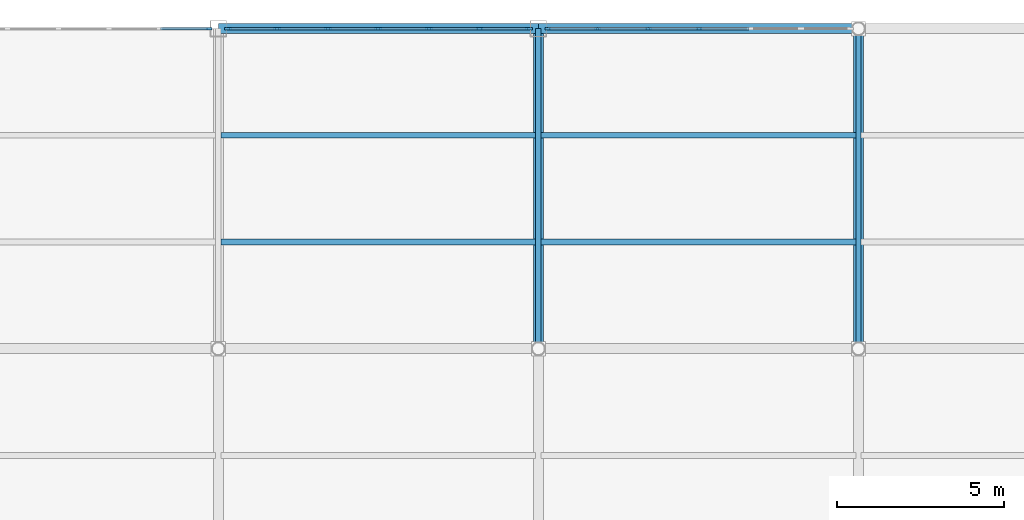
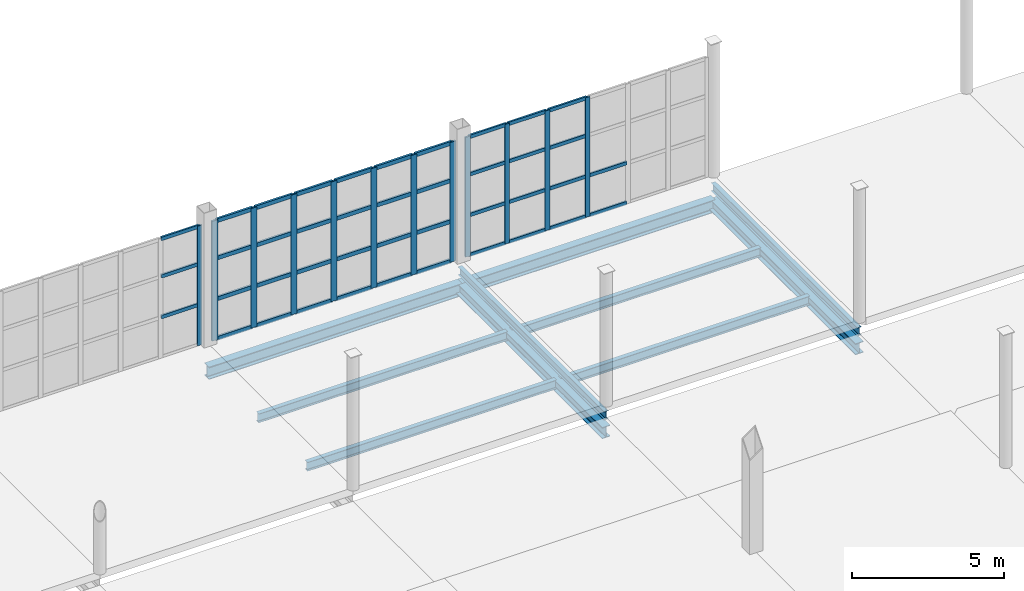
# One storey, part 45 of 85: 53 members, 10 beams, 3 elements without a shape of their own.
"""IFC4 building model written with IfcOpenShell, lengths in metres."""

from ifc_helpers import new_model, si_unit, direction, frame, origin, origin_2d, place, context, subcontext, project, spatial, rectangle, i_section, extrude, material, layer, layer_set, material_profile, profile_set, type_object, element, aggregate, save


model = new_model("IFC4")

# Units and contexts
model_context = context("Model", 3, precision=1e-05, world=origin(), true_north=direction((0.0, 1.0)))
body_context = subcontext(model_context, "Body", "Model", "MODEL_VIEW")
ifc_project = project(units=[si_unit("LENGTHUNIT", "METRE"), si_unit("AREAUNIT", "SQUARE_METRE"), si_unit("VOLUMEUNIT", "CUBIC_METRE"), si_unit("PLANEANGLEUNIT", "RADIAN"), si_unit("MASSUNIT", "GRAM", prefix="KILO")], contexts=[model_context])

# Site, building, storey
site_placement = place(None, origin())
site = spatial("IfcSite", under=ifc_project, at=site_placement, CompositionType="ELEMENT")
building_placement = place(site_placement, origin())
building = spatial("IfcBuilding", under=site, at=building_placement, Name="Zarnetskaya Central Station", CompositionType="ELEMENT")
storey_placement = place(building_placement, origin())
storey = spatial("IfcBuildingStorey", under=building, at=storey_placement, Name="L00", CompositionType="ELEMENT", Elevation=0.0)

# Beams
ifc_material_1 = material(Name="Steel S355", Category="steel")
ifc_material_profile_1 = material_profile(ifc_material_1, i_section(OverallWidth=0.159912109375, OverallDepth=0.330078125, WebThickness=0.007568359375, FlangeThickness=0.011474609375, FilletRadius=0.01806640625, at=origin_2d()), Name="IPE 330")
ifc_profile_set_1 = profile_set([ifc_material_profile_1], Name="Steel S355")
beam_type_1 = type_object("IfcBeamType", Name="BM-SEC-330", PredefinedType="BEAM", material=ifc_profile_set_1)
for number, where, z_axis, x_axis, name in (
    (1, (124.800048828125, 115.199951171875, -0.465087890625), (0.0, 1.0, 0.0), (-1.0, 0.0, 0.0), "Platform transverse bearer GY-PLT-P4-P"),
    (2, (134.39990234375, 115.199951171875, -0.465087890625), (0.0, 1.0, 0.0), (-1.0, 0.0, 0.0), "Platform transverse bearer GY-PLT-P4-Q"),
):
    element("IfcBeam", number, at=place(storey_placement, frame(where, z_axis=z_axis, x_axis=x_axis)), inside=storey, type_object=beam_type_1, Name=name, PredefinedType="BEAM", context=body_context, shape_type="SweptSolid", body=[
        extrude(i_section(OverallWidth=0.159912109375, OverallDepth=0.330078125, WebThickness=0.007568359375, FlangeThickness=0.011474609375, FilletRadius=0.01806640625, at=origin_2d()), origin(), (0.0, 0.0, 1.0), 9.60009765625),
    ])
ifc_material_profile_2 = material_profile(ifc_material_1, i_section(OverallWidth=0.169921875, OverallDepth=0.360107421875, WebThickness=0.008056640625, FlangeThickness=0.0126953125, FilletRadius=0.01806640625, at=origin_2d()), Name="IPE 360")
ifc_profile_set_2 = profile_set([ifc_material_profile_2], Name="Steel S355")
beam_type_2 = type_object("IfcBeamType", Name="BM-SEC-360", PredefinedType="BEAM", material=ifc_profile_set_2)
for number, where, z_axis, x_axis, name in (
    (3, (115.280029296875, 118.39990234375, -1.090087890625), (1.0, 0.0, 0.0), (0.0, 1.0, 0.0), "Secondary floor beam SEC-L00-Z91-NP-1415-1"),
    (4, (115.280029296875, 121.60009765625, -1.090087890625), (1.0, 0.0, 0.0), (0.0, 1.0, 0.0), "Secondary floor beam SEC-L00-Z91-NP-1415-2"),
):
    element("IfcBeam", number, at=place(storey_placement, frame(where, z_axis=z_axis, x_axis=x_axis)), inside=storey, type_object=beam_type_2, Name=name, PredefinedType="BEAM", context=body_context, shape_type="SweptSolid", body=[
        extrude(i_section(OverallWidth=0.169921875, OverallDepth=0.360107421875, WebThickness=0.008056640625, FlangeThickness=0.0126953125, FilletRadius=0.01806640625, at=origin_2d()), origin(), (0.0, 0.0, 1.0), 9.43994140625),
    ])
for number, where, z_axis, x_axis, name in (
    (5, (124.8798828125, 118.39990234375, -1.090087890625), (1.0, 0.0, 0.0), (0.0, 1.0, 0.0), "Secondary floor beam SEC-L00-Z91-PQ-1415-1"),
    (6, (124.8798828125, 121.60009765625, -1.090087890625), (1.0, 0.0, 0.0), (0.0, 1.0, 0.0), "Secondary floor beam SEC-L00-Z91-PQ-1415-2"),
):
    element("IfcBeam", number, at=place(storey_placement, frame(where, z_axis=z_axis, x_axis=x_axis)), inside=storey, type_object=beam_type_2, Name=name, PredefinedType="BEAM", context=body_context, shape_type="SweptSolid", body=[
        extrude(i_section(OverallWidth=0.169921875, OverallDepth=0.360107421875, WebThickness=0.008056640625, FlangeThickness=0.0126953125, FilletRadius=0.01806640625, at=origin_2d()), origin(), (0.0, 0.0, 1.0), 9.440185546875),
    ])

# Curtain wall, member
ifc_material_2 = material(Name="Low-E insulated glass", Category="glass")
ifc_layer = layer(ifc_material_2, 0.16796875, Name="Low-E insulated glass", Category="glass")
ifc_layer_set = layer_set([ifc_layer], Name="Low-E insulated glass")
curtain_wall_type = type_object("IfcCurtainWallType", Name="CW-SYS-13", PredefinedType="USERDEFINED", material=ifc_layer_set)
curtain_wall_1_placement = place(storey_placement, origin())
curtain_wall_1 = element("IfcCurtainWall", 7, at=curtain_wall_1_placement, inside=storey, type_object=curtain_wall_type, Name="Curtain wall CW-L00-183", ObjectType="CURTAIN WALL", PredefinedType="USERDEFINED")
ifc_material_3 = material(Name="Anodised aluminium", Category="aluminium")
ifc_material_profile_3 = material_profile(ifc_material_3, rectangle(XDim=0.070068359375, YDim=0.179931640625, at=origin_2d()), Name="ALU MULL 70x180")
ifc_profile_set_3 = profile_set([ifc_material_profile_3], Name="Anodised aluminium")
member_type_1 = type_object("IfcMemberType", Name="CW-MULL-180", PredefinedType="MULLION", material=ifc_profile_set_3)
member_1_placement = place(storey_placement, frame((114.9150390625, 124.800048828125, 0.0), z_axis=(0.0, 0.0, 1.0), x_axis=(0.0, 1.0, 0.0)))
member_1 = element("IfcMember", 8, at=member_1_placement, type_object=member_type_1, Name="CW-04 mullion 7", PredefinedType="MULLION", context=body_context, shape_type="SweptSolid", body=[
    extrude(rectangle(XDim=0.070068359375, YDim=0.179931640625, at=origin_2d()), origin(), (0.0, 0.0, 1.0), 4.800048828125),
])

# Curtain wall, members
curtain_wall_2_placement = place(storey_placement, origin())
curtain_wall_2 = element("IfcCurtainWall", 9, at=curtain_wall_2_placement, inside=storey, type_object=curtain_wall_type, Name="Curtain wall CW-L00-185", ObjectType="CURTAIN WALL", PredefinedType="USERDEFINED")
member_2_placement = place(storey_placement, frame((125.0849609375, 124.800048828125, 0.0), z_axis=(0.0, 0.0, 1.0), x_axis=(0.0, 1.0, 0.0)))
member_2 = element("IfcMember", 10, at=member_2_placement, type_object=member_type_1, Name="CW-04 mullion 1", PredefinedType="MULLION", context=body_context, shape_type="SweptSolid", body=[
    extrude(rectangle(XDim=0.070068359375, YDim=0.179931640625, at=origin_2d()), origin(), (0.0, 0.0, 1.0), 4.800048828125),
])
member_3_placement = place(storey_placement, frame((126.574462890625, 124.800048828125, 0.0), z_axis=(0.0, 0.0, 1.0), x_axis=(0.0, 1.0, 0.0)))
member_3 = element("IfcMember", 11, at=member_3_placement, type_object=member_type_1, Name="CW-04 mullion 2", PredefinedType="MULLION", context=body_context, shape_type="SweptSolid", body=[
    extrude(rectangle(XDim=0.070068359375, YDim=0.179931640625, at=origin_2d()), origin(), (0.0, 0.0, 1.0), 4.800048828125),
])
member_4_placement = place(storey_placement, frame((128.098876953125, 124.800048828125, 0.0), z_axis=(0.0, 0.0, 1.0), x_axis=(0.0, 1.0, 0.0)))
member_4 = element("IfcMember", 12, at=member_4_placement, type_object=member_type_1, Name="CW-04 mullion 3", PredefinedType="MULLION", context=body_context, shape_type="SweptSolid", body=[
    extrude(rectangle(XDim=0.070068359375, YDim=0.179931640625, at=origin_2d()), origin(), (0.0, 0.0, 1.0), 4.800048828125),
])
member_5_placement = place(storey_placement, frame((129.623291015625, 124.800048828125, 0.0), z_axis=(0.0, 0.0, 1.0), x_axis=(0.0, 1.0, 0.0)))
member_5 = element("IfcMember", 13, at=member_5_placement, type_object=member_type_1, Name="CW-04 mullion 4", PredefinedType="MULLION", context=body_context, shape_type="SweptSolid", body=[
    extrude(rectangle(XDim=0.070068359375, YDim=0.179931640625, at=origin_2d()), origin(), (0.0, 0.0, 1.0), 4.800048828125),
])

curtain_wall_3_placement = place(storey_placement, origin())
curtain_wall_3 = element("IfcCurtainWall", 14, at=curtain_wall_3_placement, inside=storey, type_object=curtain_wall_type, Name="Curtain wall CW-L00-184", ObjectType="CURTAIN WALL", PredefinedType="USERDEFINED")
ifc_material_profile_4 = material_profile(ifc_material_3, rectangle(XDim=0.080078125, YDim=0.219970703125, at=origin_2d()), Name="ALU MULL 80x220")
ifc_profile_set_4 = profile_set([ifc_material_profile_4], Name="Anodised aluminium")
member_type_2 = type_object("IfcMemberType", Name="CW-MULL-220", PredefinedType="MULLION", material=ifc_profile_set_4)
member_6_placement = place(storey_placement, frame((115.489990234375, 124.800048828125, 0.0), z_axis=(0.0, 0.0, 1.0), x_axis=(0.0, 1.0, 0.0)))
member_6 = element("IfcMember", 15, at=member_6_placement, type_object=member_type_2, Name="CW-04 mullion 1", PredefinedType="MULLION", context=body_context, shape_type="SweptSolid", body=[
    extrude(rectangle(XDim=0.080078125, YDim=0.219970703125, at=origin_2d()), origin(), (0.0, 0.0, 1.0), 4.800048828125),
])
member_7_placement = place(storey_placement, frame((116.966552734375, 124.800048828125, 0.0), z_axis=(0.0, 0.0, 1.0), x_axis=(0.0, 1.0, 0.0)))
member_7 = element("IfcMember", 16, at=member_7_placement, type_object=member_type_2, Name="CW-04 mullion 2", PredefinedType="MULLION", context=body_context, shape_type="SweptSolid", body=[
    extrude(rectangle(XDim=0.080078125, YDim=0.219970703125, at=origin_2d()), origin(), (0.0, 0.0, 1.0), 4.800048828125),
])
member_8_placement = place(storey_placement, frame((118.4833984375, 124.800048828125, 0.0), z_axis=(0.0, 0.0, 1.0), x_axis=(0.0, 1.0, 0.0)))
member_8 = element("IfcMember", 17, at=member_8_placement, type_object=member_type_2, Name="CW-04 mullion 3", PredefinedType="MULLION", context=body_context, shape_type="SweptSolid", body=[
    extrude(rectangle(XDim=0.080078125, YDim=0.219970703125, at=origin_2d()), origin(), (0.0, 0.0, 1.0), 4.800048828125),
])
member_9_placement = place(storey_placement, frame((120.0, 124.800048828125, 0.0), z_axis=(0.0, 0.0, 1.0), x_axis=(0.0, 1.0, 0.0)))
member_9 = element("IfcMember", 18, at=member_9_placement, type_object=member_type_2, Name="CW-04 mullion 4", PredefinedType="MULLION", context=body_context, shape_type="SweptSolid", body=[
    extrude(rectangle(XDim=0.080078125, YDim=0.219970703125, at=origin_2d()), origin(), (0.0, 0.0, 1.0), 4.800048828125),
])
member_10_placement = place(storey_placement, frame((121.5166015625, 124.800048828125, 0.0), z_axis=(0.0, 0.0, 1.0), x_axis=(0.0, 1.0, 0.0)))
member_10 = element("IfcMember", 19, at=member_10_placement, type_object=member_type_2, Name="CW-04 mullion 5", PredefinedType="MULLION", context=body_context, shape_type="SweptSolid", body=[
    extrude(rectangle(XDim=0.080078125, YDim=0.219970703125, at=origin_2d()), origin(), (0.0, 0.0, 1.0), 4.800048828125),
])
member_11_placement = place(storey_placement, frame((123.033447265625, 124.800048828125, 0.0), z_axis=(0.0, 0.0, 1.0), x_axis=(0.0, 1.0, 0.0)))
member_11 = element("IfcMember", 20, at=member_11_placement, type_object=member_type_2, Name="CW-04 mullion 6", PredefinedType="MULLION", context=body_context, shape_type="SweptSolid", body=[
    extrude(rectangle(XDim=0.080078125, YDim=0.219970703125, at=origin_2d()), origin(), (0.0, 0.0, 1.0), 4.800048828125),
])
member_12_placement = place(storey_placement, frame((124.510009765625, 124.800048828125, 0.0), z_axis=(0.0, 0.0, 1.0), x_axis=(0.0, 1.0, 0.0)))
member_12 = element("IfcMember", 21, at=member_12_placement, type_object=member_type_2, Name="CW-04 mullion 7", PredefinedType="MULLION", context=body_context, shape_type="SweptSolid", body=[
    extrude(rectangle(XDim=0.080078125, YDim=0.219970703125, at=origin_2d()), origin(), (0.0, 0.0, 1.0), 4.800048828125),
])

# Member
ifc_material_profile_5 = material_profile(ifc_material_3, rectangle(XDim=0.070068359375, YDim=0.139892578125, at=origin_2d()), Name="ALU TRAN 70x140")
ifc_profile_set_5 = profile_set([ifc_material_profile_5], Name="Anodised aluminium")
member_type_3 = type_object("IfcMemberType", Name="CW-TRAN-140", PredefinedType="USERDEFINED", material=ifc_profile_set_5)
member_13_placement = place(storey_placement, frame((113.46826171875, 124.800048828125, 1.632080078125), z_axis=(1.0, 0.0, 0.0), x_axis=(0.0, 1.0, 0.0)))
member_13 = element("IfcMember", 22, at=member_13_placement, type_object=member_type_3, Name="CW-04 transom 6.2", ObjectType="TRANSOM", PredefinedType="USERDEFINED", context=body_context, shape_type="SweptSolid", body=[
    extrude(rectangle(XDim=0.070068359375, YDim=0.139892578125, at=origin_2d()), origin(), (0.0, 0.0, 1.0), 1.41162109375),
])

member_14_placement = place(storey_placement, frame((113.46826171875, 124.800048828125, 3.263916015625), z_axis=(1.0, 0.0, 0.0), x_axis=(0.0, 1.0, 0.0)))
member_14 = element("IfcMember", 23, at=member_14_placement, type_object=member_type_3, Name="CW-04 transom 6.3", ObjectType="TRANSOM", PredefinedType="USERDEFINED", context=body_context, shape_type="SweptSolid", body=[
    extrude(rectangle(XDim=0.070068359375, YDim=0.139892578125, at=origin_2d()), origin(), (0.0, 0.0, 1.0), 1.41162109375),
])

member_15_placement = place(storey_placement, frame((113.46826171875, 124.800048828125, 4.764892578125), z_axis=(1.0, 0.0, 0.0), x_axis=(0.0, 1.0, 0.0)))
member_15 = element("IfcMember", 24, at=member_15_placement, type_object=member_type_3, Name="CW-04 transom 6.4", ObjectType="TRANSOM", PredefinedType="USERDEFINED", context=body_context, shape_type="SweptSolid", body=[
    extrude(rectangle(XDim=0.070068359375, YDim=0.139892578125, at=origin_2d()), origin(), (0.0, 0.0, 1.0), 1.41162109375),
])

aggregate(curtain_wall_1, [member_1, member_13, member_14, member_15])

member_16_placement = place(storey_placement, frame((125.1201171875, 124.800048828125, 0.034912109375), z_axis=(1.0, 0.0, 0.0), x_axis=(0.0, 1.0, 0.0)))
member_16 = element("IfcMember", 25, at=member_16_placement, type_object=member_type_3, Name="CW-04 transom 1.1", ObjectType="TRANSOM", PredefinedType="USERDEFINED", context=body_context, shape_type="SweptSolid", body=[
    extrude(rectangle(XDim=0.070068359375, YDim=0.139892578125, at=origin_2d()), origin(), (0.0, 0.0, 1.0), 1.41943359375),
])

member_17_placement = place(storey_placement, frame((125.1201171875, 124.800048828125, 1.632080078125), z_axis=(1.0, 0.0, 0.0), x_axis=(0.0, 1.0, 0.0)))
member_17 = element("IfcMember", 26, at=member_17_placement, type_object=member_type_3, Name="CW-04 transom 1.2", ObjectType="TRANSOM", PredefinedType="USERDEFINED", context=body_context, shape_type="SweptSolid", body=[
    extrude(rectangle(XDim=0.070068359375, YDim=0.139892578125, at=origin_2d()), origin(), (0.0, 0.0, 1.0), 1.41943359375),
])

member_18_placement = place(storey_placement, frame((125.1201171875, 124.800048828125, 3.263916015625), z_axis=(1.0, 0.0, 0.0), x_axis=(0.0, 1.0, 0.0)))
member_18 = element("IfcMember", 27, at=member_18_placement, type_object=member_type_3, Name="CW-04 transom 1.3", ObjectType="TRANSOM", PredefinedType="USERDEFINED", context=body_context, shape_type="SweptSolid", body=[
    extrude(rectangle(XDim=0.070068359375, YDim=0.139892578125, at=origin_2d()), origin(), (0.0, 0.0, 1.0), 1.41943359375),
])

member_19_placement = place(storey_placement, frame((125.1201171875, 124.800048828125, 4.764892578125), z_axis=(1.0, 0.0, 0.0), x_axis=(0.0, 1.0, 0.0)))
member_19 = element("IfcMember", 28, at=member_19_placement, type_object=member_type_3, Name="CW-04 transom 1.4", ObjectType="TRANSOM", PredefinedType="USERDEFINED", context=body_context, shape_type="SweptSolid", body=[
    extrude(rectangle(XDim=0.070068359375, YDim=0.139892578125, at=origin_2d()), origin(), (0.0, 0.0, 1.0), 1.41943359375),
])

member_20_placement = place(storey_placement, frame((126.609375, 124.800048828125, 0.034912109375), z_axis=(1.0, 0.0, 0.0), x_axis=(0.0, 1.0, 0.0)))
member_20 = element("IfcMember", 29, at=member_20_placement, type_object=member_type_3, Name="CW-04 transom 2.1", ObjectType="TRANSOM", PredefinedType="USERDEFINED", context=body_context, shape_type="SweptSolid", body=[
    extrude(rectangle(XDim=0.070068359375, YDim=0.139892578125, at=origin_2d()), origin(), (0.0, 0.0, 1.0), 1.45458984375),
])

member_21_placement = place(storey_placement, frame((126.609375, 124.800048828125, 1.632080078125), z_axis=(1.0, 0.0, 0.0), x_axis=(0.0, 1.0, 0.0)))
member_21 = element("IfcMember", 30, at=member_21_placement, type_object=member_type_3, Name="CW-04 transom 2.2", ObjectType="TRANSOM", PredefinedType="USERDEFINED", context=body_context, shape_type="SweptSolid", body=[
    extrude(rectangle(XDim=0.070068359375, YDim=0.139892578125, at=origin_2d()), origin(), (0.0, 0.0, 1.0), 1.45458984375),
])

member_22_placement = place(storey_placement, frame((126.609375, 124.800048828125, 3.263916015625), z_axis=(1.0, 0.0, 0.0), x_axis=(0.0, 1.0, 0.0)))
member_22 = element("IfcMember", 31, at=member_22_placement, type_object=member_type_3, Name="CW-04 transom 2.3", ObjectType="TRANSOM", PredefinedType="USERDEFINED", context=body_context, shape_type="SweptSolid", body=[
    extrude(rectangle(XDim=0.070068359375, YDim=0.139892578125, at=origin_2d()), origin(), (0.0, 0.0, 1.0), 1.45458984375),
])

member_23_placement = place(storey_placement, frame((126.609375, 124.800048828125, 4.764892578125), z_axis=(1.0, 0.0, 0.0), x_axis=(0.0, 1.0, 0.0)))
member_23 = element("IfcMember", 32, at=member_23_placement, type_object=member_type_3, Name="CW-04 transom 2.4", ObjectType="TRANSOM", PredefinedType="USERDEFINED", context=body_context, shape_type="SweptSolid", body=[
    extrude(rectangle(XDim=0.070068359375, YDim=0.139892578125, at=origin_2d()), origin(), (0.0, 0.0, 1.0), 1.45458984375),
])

member_24_placement = place(storey_placement, frame((128.134033203125, 124.800048828125, 0.034912109375), z_axis=(1.0, 0.0, 0.0), x_axis=(0.0, 1.0, 0.0)))
member_24 = element("IfcMember", 33, at=member_24_placement, type_object=member_type_3, Name="CW-04 transom 3.1", ObjectType="TRANSOM", PredefinedType="USERDEFINED", context=body_context, shape_type="SweptSolid", body=[
    extrude(rectangle(XDim=0.070068359375, YDim=0.139892578125, at=origin_2d()), origin(), (0.0, 0.0, 1.0), 1.454345703125),
])

member_25_placement = place(storey_placement, frame((128.134033203125, 124.800048828125, 1.632080078125), z_axis=(1.0, 0.0, 0.0), x_axis=(0.0, 1.0, 0.0)))
member_25 = element("IfcMember", 34, at=member_25_placement, type_object=member_type_3, Name="CW-04 transom 3.2", ObjectType="TRANSOM", PredefinedType="USERDEFINED", context=body_context, shape_type="SweptSolid", body=[
    extrude(rectangle(XDim=0.070068359375, YDim=0.139892578125, at=origin_2d()), origin(), (0.0, 0.0, 1.0), 1.454345703125),
])

member_26_placement = place(storey_placement, frame((128.134033203125, 124.800048828125, 3.263916015625), z_axis=(1.0, 0.0, 0.0), x_axis=(0.0, 1.0, 0.0)))
member_26 = element("IfcMember", 35, at=member_26_placement, type_object=member_type_3, Name="CW-04 transom 3.3", ObjectType="TRANSOM", PredefinedType="USERDEFINED", context=body_context, shape_type="SweptSolid", body=[
    extrude(rectangle(XDim=0.070068359375, YDim=0.139892578125, at=origin_2d()), origin(), (0.0, 0.0, 1.0), 1.454345703125),
])

member_27_placement = place(storey_placement, frame((128.134033203125, 124.800048828125, 4.764892578125), z_axis=(1.0, 0.0, 0.0), x_axis=(0.0, 1.0, 0.0)))
member_27 = element("IfcMember", 36, at=member_27_placement, type_object=member_type_3, Name="CW-04 transom 3.4", ObjectType="TRANSOM", PredefinedType="USERDEFINED", context=body_context, shape_type="SweptSolid", body=[
    extrude(rectangle(XDim=0.070068359375, YDim=0.139892578125, at=origin_2d()), origin(), (0.0, 0.0, 1.0), 1.454345703125),
])

member_28_placement = place(storey_placement, frame((129.658447265625, 124.800048828125, 0.034912109375), z_axis=(1.0, 0.0, 0.0), x_axis=(0.0, 1.0, 0.0)))
member_28 = element("IfcMember", 37, at=member_28_placement, type_object=member_type_3, Name="CW-04 transom 4.1", ObjectType="TRANSOM", PredefinedType="USERDEFINED", context=body_context, shape_type="SweptSolid", body=[
    extrude(rectangle(XDim=0.070068359375, YDim=0.139892578125, at=origin_2d()), origin(), (0.0, 0.0, 1.0), 1.454345703125),
])

member_29_placement = place(storey_placement, frame((129.658447265625, 124.800048828125, 1.632080078125), z_axis=(1.0, 0.0, 0.0), x_axis=(0.0, 1.0, 0.0)))
member_29 = element("IfcMember", 38, at=member_29_placement, type_object=member_type_3, Name="CW-04 transom 4.2", ObjectType="TRANSOM", PredefinedType="USERDEFINED", context=body_context, shape_type="SweptSolid", body=[
    extrude(rectangle(XDim=0.070068359375, YDim=0.139892578125, at=origin_2d()), origin(), (0.0, 0.0, 1.0), 1.454345703125),
])

aggregate(curtain_wall_2, [member_2, member_3, member_4, member_5, member_16, member_17, member_18, member_19, member_20, member_21, member_22, member_23, member_24, member_25, member_26, member_27, member_28, member_29])

ifc_material_profile_6 = material_profile(ifc_material_3, rectangle(XDim=0.080078125, YDim=0.159912109375, at=origin_2d()), Name="ALU TRAN 80x160")
ifc_profile_set_6 = profile_set([ifc_material_profile_6], Name="Anodised aluminium")
member_type_4 = type_object("IfcMemberType", Name="CW-TRAN-160", PredefinedType="USERDEFINED", material=ifc_profile_set_6)
member_30_placement = place(storey_placement, frame((115.530029296875, 124.800048828125, 0.0400390625), z_axis=(1.0, 0.0, 0.0), x_axis=(0.0, 1.0, 0.0)))
member_30 = element("IfcMember", 39, at=member_30_placement, type_object=member_type_4, Name="CW-04 transom 1.1", ObjectType="TRANSOM", PredefinedType="USERDEFINED", context=body_context, shape_type="SweptSolid", body=[
    extrude(rectangle(XDim=0.080078125, YDim=0.159912109375, at=origin_2d()), origin(), (0.0, 0.0, 1.0), 1.396728515625),
])

member_31_placement = place(storey_placement, frame((115.530029296875, 124.800048828125, 1.632080078125), z_axis=(1.0, 0.0, 0.0), x_axis=(0.0, 1.0, 0.0)))
member_31 = element("IfcMember", 40, at=member_31_placement, type_object=member_type_4, Name="CW-04 transom 1.2", ObjectType="TRANSOM", PredefinedType="USERDEFINED", context=body_context, shape_type="SweptSolid", body=[
    extrude(rectangle(XDim=0.080078125, YDim=0.159912109375, at=origin_2d()), origin(), (0.0, 0.0, 1.0), 1.396728515625),
])

member_32_placement = place(storey_placement, frame((115.530029296875, 124.800048828125, 3.263916015625), z_axis=(1.0, 0.0, 0.0), x_axis=(0.0, 1.0, 0.0)))
member_32 = element("IfcMember", 41, at=member_32_placement, type_object=member_type_4, Name="CW-04 transom 1.3", ObjectType="TRANSOM", PredefinedType="USERDEFINED", context=body_context, shape_type="SweptSolid", body=[
    extrude(rectangle(XDim=0.080078125, YDim=0.159912109375, at=origin_2d()), origin(), (0.0, 0.0, 1.0), 1.396728515625),
])

member_33_placement = place(storey_placement, frame((115.530029296875, 124.800048828125, 4.760009765625), z_axis=(1.0, 0.0, 0.0), x_axis=(0.0, 1.0, 0.0)))
member_33 = element("IfcMember", 42, at=member_33_placement, type_object=member_type_4, Name="CW-04 transom 1.4", ObjectType="TRANSOM", PredefinedType="USERDEFINED", context=body_context, shape_type="SweptSolid", body=[
    extrude(rectangle(XDim=0.080078125, YDim=0.159912109375, at=origin_2d()), origin(), (0.0, 0.0, 1.0), 1.396728515625),
])

member_34_placement = place(storey_placement, frame((117.006591796875, 124.800048828125, 0.0400390625), z_axis=(1.0, 0.0, 0.0), x_axis=(0.0, 1.0, 0.0)))
member_34 = element("IfcMember", 43, at=member_34_placement, type_object=member_type_4, Name="CW-04 transom 2.1", ObjectType="TRANSOM", PredefinedType="USERDEFINED", context=body_context, shape_type="SweptSolid", body=[
    extrude(rectangle(XDim=0.080078125, YDim=0.159912109375, at=origin_2d()), origin(), (0.0, 0.0, 1.0), 1.436767578125),
])

member_35_placement = place(storey_placement, frame((117.006591796875, 124.800048828125, 1.632080078125), z_axis=(1.0, 0.0, 0.0), x_axis=(0.0, 1.0, 0.0)))
member_35 = element("IfcMember", 44, at=member_35_placement, type_object=member_type_4, Name="CW-04 transom 2.2", ObjectType="TRANSOM", PredefinedType="USERDEFINED", context=body_context, shape_type="SweptSolid", body=[
    extrude(rectangle(XDim=0.080078125, YDim=0.159912109375, at=origin_2d()), origin(), (0.0, 0.0, 1.0), 1.436767578125),
])

member_36_placement = place(storey_placement, frame((117.006591796875, 124.800048828125, 3.263916015625), z_axis=(1.0, 0.0, 0.0), x_axis=(0.0, 1.0, 0.0)))
member_36 = element("IfcMember", 45, at=member_36_placement, type_object=member_type_4, Name="CW-04 transom 2.3", ObjectType="TRANSOM", PredefinedType="USERDEFINED", context=body_context, shape_type="SweptSolid", body=[
    extrude(rectangle(XDim=0.080078125, YDim=0.159912109375, at=origin_2d()), origin(), (0.0, 0.0, 1.0), 1.436767578125),
])

member_37_placement = place(storey_placement, frame((117.006591796875, 124.800048828125, 4.760009765625), z_axis=(1.0, 0.0, 0.0), x_axis=(0.0, 1.0, 0.0)))
member_37 = element("IfcMember", 46, at=member_37_placement, type_object=member_type_4, Name="CW-04 transom 2.4", ObjectType="TRANSOM", PredefinedType="USERDEFINED", context=body_context, shape_type="SweptSolid", body=[
    extrude(rectangle(XDim=0.080078125, YDim=0.159912109375, at=origin_2d()), origin(), (0.0, 0.0, 1.0), 1.436767578125),
])

member_38_placement = place(storey_placement, frame((118.5234375, 124.800048828125, 0.0400390625), z_axis=(1.0, 0.0, 0.0), x_axis=(0.0, 1.0, 0.0)))
member_38 = element("IfcMember", 47, at=member_38_placement, type_object=member_type_4, Name="CW-04 transom 3.1", ObjectType="TRANSOM", PredefinedType="USERDEFINED", context=body_context, shape_type="SweptSolid", body=[
    extrude(rectangle(XDim=0.080078125, YDim=0.159912109375, at=origin_2d()), origin(), (0.0, 0.0, 1.0), 1.4365234375),
])

member_39_placement = place(storey_placement, frame((118.5234375, 124.800048828125, 1.632080078125), z_axis=(1.0, 0.0, 0.0), x_axis=(0.0, 1.0, 0.0)))
member_39 = element("IfcMember", 48, at=member_39_placement, type_object=member_type_4, Name="CW-04 transom 3.2", ObjectType="TRANSOM", PredefinedType="USERDEFINED", context=body_context, shape_type="SweptSolid", body=[
    extrude(rectangle(XDim=0.080078125, YDim=0.159912109375, at=origin_2d()), origin(), (0.0, 0.0, 1.0), 1.4365234375),
])

member_40_placement = place(storey_placement, frame((118.5234375, 124.800048828125, 3.263916015625), z_axis=(1.0, 0.0, 0.0), x_axis=(0.0, 1.0, 0.0)))
member_40 = element("IfcMember", 49, at=member_40_placement, type_object=member_type_4, Name="CW-04 transom 3.3", ObjectType="TRANSOM", PredefinedType="USERDEFINED", context=body_context, shape_type="SweptSolid", body=[
    extrude(rectangle(XDim=0.080078125, YDim=0.159912109375, at=origin_2d()), origin(), (0.0, 0.0, 1.0), 1.4365234375),
])

member_41_placement = place(storey_placement, frame((118.5234375, 124.800048828125, 4.760009765625), z_axis=(1.0, 0.0, 0.0), x_axis=(0.0, 1.0, 0.0)))
member_41 = element("IfcMember", 50, at=member_41_placement, type_object=member_type_4, Name="CW-04 transom 3.4", ObjectType="TRANSOM", PredefinedType="USERDEFINED", context=body_context, shape_type="SweptSolid", body=[
    extrude(rectangle(XDim=0.080078125, YDim=0.159912109375, at=origin_2d()), origin(), (0.0, 0.0, 1.0), 1.4365234375),
])

member_42_placement = place(storey_placement, frame((120.0400390625, 124.800048828125, 0.0400390625), z_axis=(1.0, 0.0, 0.0), x_axis=(0.0, 1.0, 0.0)))
member_42 = element("IfcMember", 51, at=member_42_placement, type_object=member_type_4, Name="CW-04 transom 4.1", ObjectType="TRANSOM", PredefinedType="USERDEFINED", context=body_context, shape_type="SweptSolid", body=[
    extrude(rectangle(XDim=0.080078125, YDim=0.159912109375, at=origin_2d()), origin(), (0.0, 0.0, 1.0), 1.4365234375),
])

member_43_placement = place(storey_placement, frame((120.0400390625, 124.800048828125, 1.632080078125), z_axis=(1.0, 0.0, 0.0), x_axis=(0.0, 1.0, 0.0)))
member_43 = element("IfcMember", 52, at=member_43_placement, type_object=member_type_4, Name="CW-04 transom 4.2", ObjectType="TRANSOM", PredefinedType="USERDEFINED", context=body_context, shape_type="SweptSolid", body=[
    extrude(rectangle(XDim=0.080078125, YDim=0.159912109375, at=origin_2d()), origin(), (0.0, 0.0, 1.0), 1.4365234375),
])

member_44_placement = place(storey_placement, frame((120.0400390625, 124.800048828125, 3.263916015625), z_axis=(1.0, 0.0, 0.0), x_axis=(0.0, 1.0, 0.0)))
member_44 = element("IfcMember", 53, at=member_44_placement, type_object=member_type_4, Name="CW-04 transom 4.3", ObjectType="TRANSOM", PredefinedType="USERDEFINED", context=body_context, shape_type="SweptSolid", body=[
    extrude(rectangle(XDim=0.080078125, YDim=0.159912109375, at=origin_2d()), origin(), (0.0, 0.0, 1.0), 1.4365234375),
])

member_45_placement = place(storey_placement, frame((120.0400390625, 124.800048828125, 4.760009765625), z_axis=(1.0, 0.0, 0.0), x_axis=(0.0, 1.0, 0.0)))
member_45 = element("IfcMember", 54, at=member_45_placement, type_object=member_type_4, Name="CW-04 transom 4.4", ObjectType="TRANSOM", PredefinedType="USERDEFINED", context=body_context, shape_type="SweptSolid", body=[
    extrude(rectangle(XDim=0.080078125, YDim=0.159912109375, at=origin_2d()), origin(), (0.0, 0.0, 1.0), 1.4365234375),
])

member_46_placement = place(storey_placement, frame((121.556640625, 124.800048828125, 0.0400390625), z_axis=(1.0, 0.0, 0.0), x_axis=(0.0, 1.0, 0.0)))
member_46 = element("IfcMember", 55, at=member_46_placement, type_object=member_type_4, Name="CW-04 transom 5.1", ObjectType="TRANSOM", PredefinedType="USERDEFINED", context=body_context, shape_type="SweptSolid", body=[
    extrude(rectangle(XDim=0.080078125, YDim=0.159912109375, at=origin_2d()), origin(), (0.0, 0.0, 1.0), 1.436767578125),
])

member_47_placement = place(storey_placement, frame((121.556640625, 124.800048828125, 1.632080078125), z_axis=(1.0, 0.0, 0.0), x_axis=(0.0, 1.0, 0.0)))
member_47 = element("IfcMember", 56, at=member_47_placement, type_object=member_type_4, Name="CW-04 transom 5.2", ObjectType="TRANSOM", PredefinedType="USERDEFINED", context=body_context, shape_type="SweptSolid", body=[
    extrude(rectangle(XDim=0.080078125, YDim=0.159912109375, at=origin_2d()), origin(), (0.0, 0.0, 1.0), 1.436767578125),
])

member_48_placement = place(storey_placement, frame((121.556640625, 124.800048828125, 3.263916015625), z_axis=(1.0, 0.0, 0.0), x_axis=(0.0, 1.0, 0.0)))
member_48 = element("IfcMember", 57, at=member_48_placement, type_object=member_type_4, Name="CW-04 transom 5.3", ObjectType="TRANSOM", PredefinedType="USERDEFINED", context=body_context, shape_type="SweptSolid", body=[
    extrude(rectangle(XDim=0.080078125, YDim=0.159912109375, at=origin_2d()), origin(), (0.0, 0.0, 1.0), 1.436767578125),
])

member_49_placement = place(storey_placement, frame((121.556640625, 124.800048828125, 4.760009765625), z_axis=(1.0, 0.0, 0.0), x_axis=(0.0, 1.0, 0.0)))
member_49 = element("IfcMember", 58, at=member_49_placement, type_object=member_type_4, Name="CW-04 transom 5.4", ObjectType="TRANSOM", PredefinedType="USERDEFINED", context=body_context, shape_type="SweptSolid", body=[
    extrude(rectangle(XDim=0.080078125, YDim=0.159912109375, at=origin_2d()), origin(), (0.0, 0.0, 1.0), 1.436767578125),
])

member_50_placement = place(storey_placement, frame((123.0732421875, 124.800048828125, 0.0400390625), z_axis=(1.0, 0.0, 0.0), x_axis=(0.0, 1.0, 0.0)))
member_50 = element("IfcMember", 59, at=member_50_placement, type_object=member_type_4, Name="CW-04 transom 6.1", ObjectType="TRANSOM", PredefinedType="USERDEFINED", context=body_context, shape_type="SweptSolid", body=[
    extrude(rectangle(XDim=0.080078125, YDim=0.159912109375, at=origin_2d()), origin(), (0.0, 0.0, 1.0), 1.396728515625),
])

member_51_placement = place(storey_placement, frame((123.0732421875, 124.800048828125, 1.632080078125), z_axis=(1.0, 0.0, 0.0), x_axis=(0.0, 1.0, 0.0)))
member_51 = element("IfcMember", 60, at=member_51_placement, type_object=member_type_4, Name="CW-04 transom 6.2", ObjectType="TRANSOM", PredefinedType="USERDEFINED", context=body_context, shape_type="SweptSolid", body=[
    extrude(rectangle(XDim=0.080078125, YDim=0.159912109375, at=origin_2d()), origin(), (0.0, 0.0, 1.0), 1.396728515625),
])

member_52_placement = place(storey_placement, frame((123.0732421875, 124.800048828125, 3.263916015625), z_axis=(1.0, 0.0, 0.0), x_axis=(0.0, 1.0, 0.0)))
member_52 = element("IfcMember", 61, at=member_52_placement, type_object=member_type_4, Name="CW-04 transom 6.3", ObjectType="TRANSOM", PredefinedType="USERDEFINED", context=body_context, shape_type="SweptSolid", body=[
    extrude(rectangle(XDim=0.080078125, YDim=0.159912109375, at=origin_2d()), origin(), (0.0, 0.0, 1.0), 1.396728515625),
])

member_53_placement = place(storey_placement, frame((123.0732421875, 124.800048828125, 4.760009765625), z_axis=(1.0, 0.0, 0.0), x_axis=(0.0, 1.0, 0.0)))
member_53 = element("IfcMember", 62, at=member_53_placement, type_object=member_type_4, Name="CW-04 transom 6.4", ObjectType="TRANSOM", PredefinedType="USERDEFINED", context=body_context, shape_type="SweptSolid", body=[
    extrude(rectangle(XDim=0.080078125, YDim=0.159912109375, at=origin_2d()), origin(), (0.0, 0.0, 1.0), 1.396728515625),
])

aggregate(curtain_wall_3, [member_6, member_7, member_8, member_9, member_10, member_11, member_12, member_30, member_31, member_32, member_33, member_34, member_35, member_36, member_37, member_38, member_39, member_40, member_41, member_42, member_43, member_44, member_45, member_46, member_47, member_48, member_49, member_50, member_51, member_52, member_53])

# Beams
ifc_material_profile_7 = material_profile(ifc_material_1, i_section(OverallWidth=0.300048828125, OverallDepth=0.449951171875, WebThickness=0.013916015625, FlangeThickness=0.02587890625, FilletRadius=0.027099609375, at=origin_2d()), Name="HEB 450")
ifc_profile_set_7 = profile_set([ifc_material_profile_7], Name="Steel S355")
beam_type_3 = type_object("IfcBeamType", Name="GD-SUB-450", PredefinedType="USERDEFINED", material=ifc_profile_set_7)
for number, where, z_axis, x_axis, name in (
    (63, (124.800048828125, 115.199951171875, -1.135009765625), (0.0, 1.0, 0.0), (-1.0, 0.0, 0.0), "Grid girder GY-L00-P-1415"),
    (64, (134.39990234375, 115.199951171875, -1.135009765625), (0.0, 1.0, 0.0), (-1.0, 0.0, 0.0), "Grid girder GY-L00-Q-1415"),
):
    element("IfcBeam", number, at=place(storey_placement, frame(where, z_axis=z_axis, x_axis=x_axis)), inside=storey, type_object=beam_type_3, Name=name, ObjectType="GIRDER", PredefinedType="USERDEFINED", context=body_context, shape_type="SweptSolid", body=[
        extrude(i_section(OverallWidth=0.300048828125, OverallDepth=0.449951171875, WebThickness=0.013916015625, FlangeThickness=0.02587890625, FilletRadius=0.027099609375, at=origin_2d()), origin(), (0.0, 0.0, 1.0), 9.60009765625),
    ])
ifc_material_profile_8 = material_profile(ifc_material_1, i_section(OverallWidth=0.300048828125, OverallDepth=0.5, WebThickness=0.014404296875, FlangeThickness=0.028076171875, FilletRadius=0.027099609375, at=origin_2d()), Name="HEB 500")
ifc_profile_set_8 = profile_set([ifc_material_profile_8], Name="Steel S355")
beam_type_4 = type_object("IfcBeamType", Name="GD-SUB-500", PredefinedType="USERDEFINED", material=ifc_profile_set_8)
beam_1_placement = place(storey_placement, frame((115.199951171875, 124.800048828125, -1.159912109375), z_axis=(1.0, 0.0, 0.0), x_axis=(0.0, 1.0, 0.0)))
element("IfcBeam", 65, at=beam_1_placement, inside=storey, type_object=beam_type_4, Name="Grid girder GX-L00-15-NP", ObjectType="GIRDER", PredefinedType="USERDEFINED", context=body_context, shape_type="SweptSolid", body=[
    extrude(i_section(OverallWidth=0.300048828125, OverallDepth=0.5, WebThickness=0.014404296875, FlangeThickness=0.028076171875, FilletRadius=0.027099609375, at=origin_2d()), origin(), (0.0, 0.0, 1.0), 9.60009765625),
])
beam_2_placement = place(storey_placement, frame((124.800048828125, 124.800048828125, -1.159912109375), z_axis=(1.0, 0.0, 0.0), x_axis=(0.0, 1.0, 0.0)))
element("IfcBeam", 66, at=beam_2_placement, inside=storey, type_object=beam_type_4, Name="Grid girder GX-L00-15-PQ", ObjectType="GIRDER", PredefinedType="USERDEFINED", context=body_context, shape_type="SweptSolid", body=[
    extrude(i_section(OverallWidth=0.300048828125, OverallDepth=0.5, WebThickness=0.014404296875, FlangeThickness=0.028076171875, FilletRadius=0.027099609375, at=origin_2d()), origin(), (0.0, 0.0, 1.0), 9.599853515625),
])

save(model, "model.ifc")
